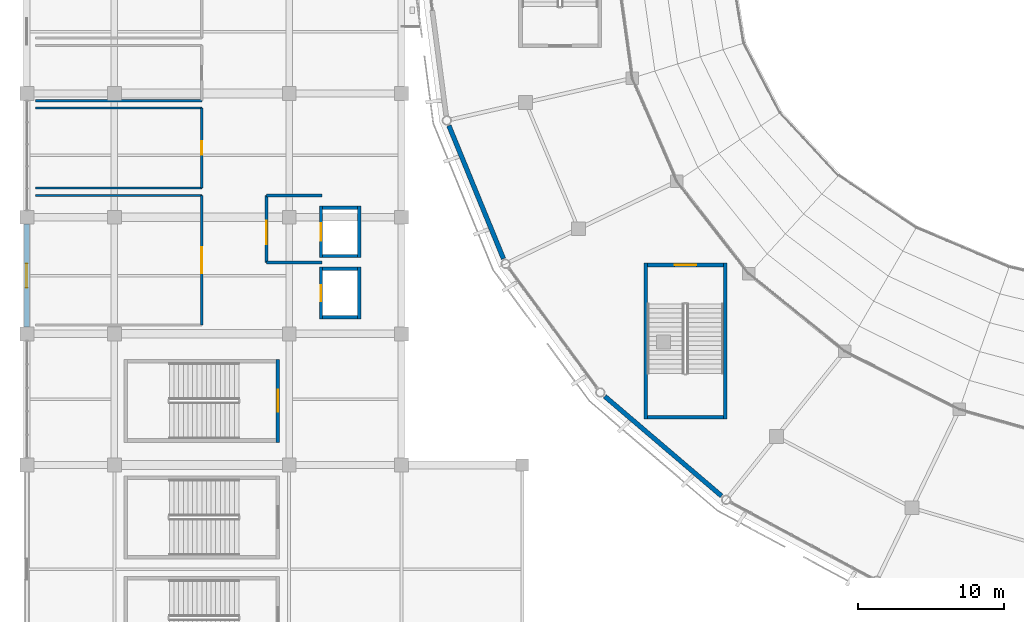
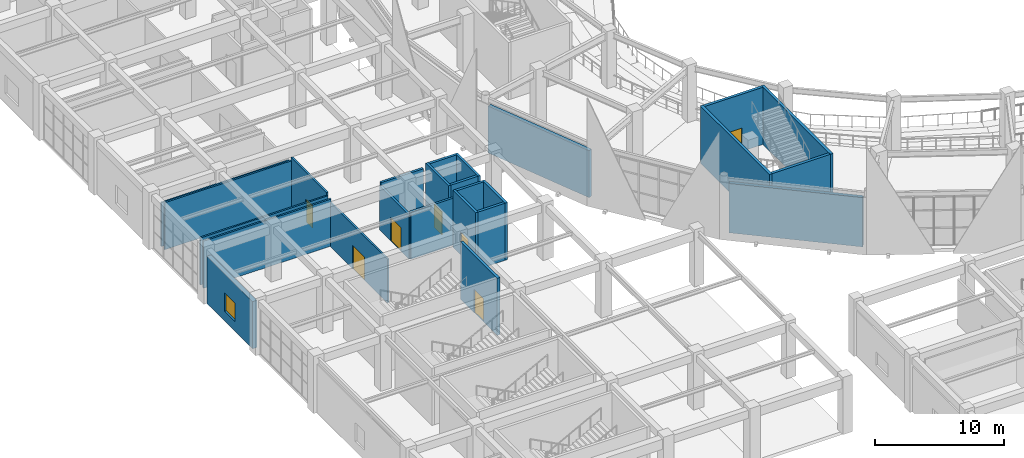
# One storey, part 74 of 120: 25 walls, 7 doors, 1 window, 8 openings.
"""IFC4 building model written with IfcOpenShell, lengths in metres."""

import ifcopenshell
import ifcopenshell.guid

model = None  # the IFC model being written
_history = None  # IfcOwnerHistory: only IFC2X3 demands one
_inside = {}  # id of a spatial element -> (the spatial element, [elements in it])
_under = {}  # id of a project, library or spatial element -> (it, [spatial elements below it])
_declared = {}  # id of a project -> (the project, [libraries it declares])
_typed = {}  # id of a type object -> (the type object, [elements of that type])
_made_of = {}  # id of a material, layer set ... -> (it, [elements and type objects made of it])


def new_model(schema):
    """Start an empty IFC model of exactly this schema.

    Asked for "IFC4X3", IfcOpenShell would pick the latest addendum, in which some entities
    have other attributes; the version numbers below select the first issue.
    IFC2X3 requires an IfcOwnerHistory on every rooted entity: one is made here for all.
    """
    global model, _history
    if schema == "IFC4X3":
        model = ifcopenshell.file(schema_version=(4, 3, 0, 0))
    else:
        model = ifcopenshell.file(schema=schema)
    _inside.clear()
    _under.clear()
    _declared.clear()
    _typed.clear()
    _made_of.clear()
    _history = None
    if model.schema == "IFC2X3":
        org = make("IfcOrganization", Name="unknown")
        user = make(
            "IfcPersonAndOrganization",
            ThePerson=make("IfcPerson", FamilyName="unknown"),
            TheOrganization=org,
        )
        app = make(
            "IfcApplication",
            ApplicationDeveloper=org,
            Version="unknown",
            ApplicationFullName="unknown",
            ApplicationIdentifier="unknown",
        )
        _history = make(
            "IfcOwnerHistory",
            OwningUser=user,
            OwningApplication=app,
            ChangeAction="ADDED",
            CreationDate=0,
        )
    return model


def make(cls, **values):
    """One entity of the class cls with the attributes given. An attribute that is None is left unset."""
    return model.create_entity(
        cls, **{name: value for name, value in values.items() if value is not None}
    )


def rooted(cls, **values):
    """An entity with a GlobalId (a new one), such as an element, a storey or a relation."""
    return make(cls, GlobalId=ifcopenshell.guid.new(), OwnerHistory=_history, **values)


def si_unit(unit_type, name, prefix=None):
    """IfcSIUnit, for example si_unit("LENGTHUNIT", "METRE", prefix="MILLI")."""
    return make("IfcSIUnit", UnitType=unit_type, Prefix=prefix, Name=name)


def assignment(units):
    """IfcUnitAssignment: the units of a project."""
    return None if units is None else make("IfcUnitAssignment", Units=units)


def point(xyz):
    """IfcCartesianPoint."""
    return None if xyz is None else make("IfcCartesianPoint", Coordinates=xyz)


def direction(xyz):
    """IfcDirection."""
    return None if xyz is None else make("IfcDirection", DirectionRatios=xyz)


def frame(location, z_axis=None, x_axis=None):
    """IfcAxis2Placement3D, a coordinate frame: its origin and axes. An axis left out is left unset."""
    return make(
        "IfcAxis2Placement3D",
        Location=point(location),
        Axis=direction(z_axis),
        RefDirection=direction(x_axis),
    )


def frame_2d(location, x_axis=None):
    """IfcAxis2Placement2D, a coordinate frame in the plane: its origin and x axis."""
    return make(
        "IfcAxis2Placement2D", Location=point(location), RefDirection=direction(x_axis)
    )


def origin():
    """The frame at (0, 0, 0) with its axes left unset."""
    return frame((0.0, 0.0, 0.0))


def place(relative_to, where):
    """IfcLocalPlacement: puts the frame where relative to a parent placement (None: the world)."""
    return make(
        "IfcLocalPlacement", PlacementRelTo=relative_to, RelativePlacement=where
    )


def context(
    kind, dimensions, precision=None, world=None, true_north=None, identifier=None
):
    """IfcGeometricRepresentationContext, for example the 3D "Model" context."""
    return make(
        "IfcGeometricRepresentationContext",
        ContextIdentifier=identifier,
        ContextType=kind,
        CoordinateSpaceDimension=dimensions,
        Precision=precision,
        WorldCoordinateSystem=world,
        TrueNorth=true_north,
    )


def subcontext(parent, identifier, kind, view, scale=None):
    """IfcGeometricRepresentationSubContext, for example "Body" below "Model"."""
    return make(
        "IfcGeometricRepresentationSubContext",
        ContextIdentifier=identifier,
        ContextType=kind,
        ParentContext=parent,
        TargetScale=scale,
        TargetView=view,
    )


def project(units=None, contexts=None):
    """IfcProject with its units and contexts."""
    return rooted(
        "IfcProject",
        Name="project",
        RepresentationContexts=contexts,
        UnitsInContext=assignment(units),
    )


def spatial(cls, under=None, at=None, **own):
    """A site, building, storey or space (cls), placed at a placement, below another one or the project."""
    s = rooted(cls, ObjectPlacement=at, **own)
    if under is not None:
        _under.setdefault(under.id(), (under, []))[1].append(s)
    return s


def profile(cls, at=None, kind="AREA", **sizes):
    """A parametric profile (cls). Its sizes go by their IFC names, for example OverallWidth=200.0."""
    return make(cls, ProfileType=kind, Position=at, **sizes)


def rectangle(**sizes):
    """IfcRectangleProfileDef."""
    return profile("IfcRectangleProfileDef", **sizes)


def extrude(swept, where, along, depth):
    """IfcExtrudedAreaSolid: the profile swept, set in the frame where, extruded along a direction by depth."""
    return make(
        "IfcExtrudedAreaSolid",
        SweptArea=swept,
        Position=where,
        ExtrudedDirection=direction(along),
        Depth=depth,
    )


def shape(context_of_items, identifier, shape_type, items):
    """IfcShapeRepresentation: the items that make up one representation, for example the "Body"."""
    return make(
        "IfcShapeRepresentation",
        ContextOfItems=context_of_items,
        RepresentationIdentifier=identifier,
        RepresentationType=shape_type,
        Items=items,
    )


def material(Name=None, Category=None):
    """IfcMaterial."""
    return make("IfcMaterial", Name=Name, Category=Category)


def layer(
    of_material, thickness, ventilated=None, Name=None, Category=None, Priority=None
):
    """IfcMaterialLayer: one layer of a wall or slab, of a material (None: an air gap)."""
    return make(
        "IfcMaterialLayer",
        Material=of_material,
        LayerThickness=thickness,
        IsVentilated=ventilated,
        Name=Name,
        Category=Category,
        Priority=Priority,
    )


def layer_set(layers, Name=None):
    """IfcMaterialLayerSet."""
    return make("IfcMaterialLayerSet", MaterialLayers=layers, LayerSetName=Name)


def made_of(thing, what):
    """Note that an element or type object is made of a material, layer set ...; save() writes the relation."""
    if what is not None:
        _made_of.setdefault(what.id(), (what, []))[1].append(thing)
    return thing


def type_object(cls, material=None, **own):
    """A type object (cls), such as IfcWallType, which elements share."""
    return made_of(rooted(cls, **own), material)


def element(
    cls,
    number,
    at=None,
    inside=None,
    cuts=None,
    type_object=None,
    material=None,
    context=None,
    identifier="Body",
    shape_type=None,
    held_by="IfcProductDefinitionShape",
    body=None,
    shapes=None,
    **own,
):
    """One element of the class cls, such as IfcWall. Its Tag is "e" and its number.

    at: its placement. inside: the storey or other place that contains it. cuts: it is an
    opening in that element (IfcRelVoidsElement). A single representation is given by context,
    identifier, shape_type and body (its items); several are given by shapes. held_by: the class
    of the entity that holds the representations. save() writes the other relations.
    """
    e = rooted(cls, Tag="e%d" % number, ObjectPlacement=at, **own)
    if body is not None:
        shapes = [shape(context, identifier, shape_type, body)]
    if shapes is not None:
        e.Representation = make(held_by, Representations=shapes)
    if inside is not None:
        _inside.setdefault(inside.id(), (inside, []))[1].append(e)
    if cuts is not None:
        rooted(
            "IfcRelVoidsElement", RelatingBuildingElement=cuts, RelatedOpeningElement=e
        )
    if type_object is not None:
        _typed.setdefault(type_object.id(), (type_object, []))[1].append(e)
    return made_of(e, material)


def fill(opening, filler):
    """IfcRelFillsElement: the door or window that sits in an opening."""
    return rooted(
        "IfcRelFillsElement",
        RelatingOpeningElement=opening,
        RelatedBuildingElement=filler,
    )


def aggregate(whole, parts):
    """IfcRelAggregates: a whole, such as a stair, and the parts it consists of."""
    return rooted("IfcRelAggregates", RelatingObject=whole, RelatedObjects=parts)


def save(model, path):
    """Write the relations noted so far, then the file.

    IfcRelAggregates (storeys below a building ...), IfcRelContainedInSpatialStructure (elements
    in a storey), IfcRelDefinesByType, IfcRelAssociatesMaterial and IfcRelDeclares: one each for
    every whole, place, type object, material and project.
    """
    for whole, parts in _under.values():
        aggregate(whole, parts)
    for where, things in _inside.values():
        rooted(
            "IfcRelContainedInSpatialStructure",
            RelatedElements=things,
            RelatingStructure=where,
        )
    for kind, things in _typed.values():
        rooted("IfcRelDefinesByType", RelatedObjects=things, RelatingType=kind)
    for what, things in _made_of.values():
        rooted("IfcRelAssociatesMaterial", RelatedObjects=things, RelatingMaterial=what)
    for by, libraries in _declared.values():
        rooted("IfcRelDeclares", RelatingContext=by, RelatedDefinitions=libraries)
    model.write(path)


model = new_model("IFC4")

# Units and contexts
model_context = context("Model", 3, precision=1e-05, world=origin(), true_north=direction((0.0, 1.0)))
body_context = subcontext(model_context, "Body", "Model", "MODEL_VIEW")
ifc_project = project(units=[si_unit("LENGTHUNIT", "METRE"), si_unit("AREAUNIT", "SQUARE_METRE"), si_unit("VOLUMEUNIT", "CUBIC_METRE"), si_unit("PLANEANGLEUNIT", "RADIAN"), si_unit("MASSUNIT", "GRAM", prefix="KILO")], contexts=[model_context])

# Site, building, storey
site_placement = place(None, origin())
site = spatial("IfcSite", under=ifc_project, at=site_placement, CompositionType="ELEMENT")
building_placement = place(site_placement, origin())
building = spatial("IfcBuilding", under=site, at=building_placement, Name="Cuetzalor Civic Arena", CompositionType="ELEMENT")
storey_placement = place(building_placement, frame((0.0, 0.0, 6.0)))
storey = spatial("IfcBuildingStorey", under=building, at=storey_placement, Name="L01", CompositionType="ELEMENT", Elevation=6.0)

# Wall
ifc_material_1 = material(Name="Acoustic steel-stud gypsum partition", Category="steel")
ifc_layer_1 = layer(ifc_material_1, 0.14990234375)
ifc_layer_set_1 = layer_set([ifc_layer_1], Name="Acoustic steel-stud gypsum partition")
wall_type_1 = type_object("IfcWallType", Name="AcousticGypsumPartition_150", PredefinedType="PARTITIONING", material=ifc_layer_set_1)
wall_1_placement = place(storey_placement, frame((-81.39990234375, -15.5, 0.0), z_axis=(0.0, 0.0, 1.0), x_axis=(1.0, 0.0, 0.0)))
element("IfcWall", 1, at=wall_1_placement, inside=storey, type_object=wall_type_1, Name="Interior Partition IWALL:L01:0195", PredefinedType="PARTITIONING", context=body_context, shape_type="SweptSolid", body=[
    extrude(rectangle(XDim=11.39990234375, YDim=0.14990234375, at=frame_2d((5.699951171875, 0.0))), origin(), (0.0, 0.0, 1.0), 4.445068359375),
])

# Wall, opening, door
wall_2_placement = place(storey_placement, frame((-70.0, -15.5, 0.0), z_axis=(0.0, 0.0, 1.0), x_axis=(0.0, -1.0, 0.0)))
wall_2 = element("IfcWall", 2, at=wall_2_placement, inside=storey, type_object=wall_type_1, Name="Interior Partition IWALL:L01:0197", PredefinedType="PARTITIONING", context=body_context, shape_type="SweptSolid", body=[
    extrude(rectangle(XDim=8.89990234375, YDim=0.14990234375, at=frame_2d((4.449951171875, 0.0))), origin(), (0.0, 0.0, 1.0), 4.14501953125),
])
opening_1_placement = place(wall_2_placement, frame((3.550048828125, 0.0, 0.0)))
opening_1 = element("IfcOpeningElement", 3, at=opening_1_placement, cuts=wall_2, Name="Opening ID-06", PredefinedType="OPENING", context=body_context, shape_type="SweptSolid", body=[
    extrude(rectangle(XDim=1.800048828125, YDim=2.199951171875, at=frame_2d((0.89990234375, 1.10009765625))), frame((0.0, 0.0849609375, 0.0), z_axis=(0.0, -1.0, 0.0), x_axis=(1.0, 0.0, 0.0)), (0.0, 0.0, 1.0), 0.169921875),
])
ifc_material_2 = material(Name="Glazed bronze acoustic double door", Category="metal")
door_type_1 = type_object("IfcDoorType", Name="PublicDoubleDoor_1800x2200", OperationType="DOUBLE_DOOR_SINGLE_SWING", PredefinedType="DOOR", material=ifc_material_2)
door_1_placement = place(opening_1_placement, origin())
door_1 = element("IfcDoor", 4, at=door_1_placement, inside=storey, type_object=door_type_1, Name="Door to Concessions Hall West South L01", OperationType="DOUBLE_DOOR_SINGLE_SWING", OverallHeight=2.199951171875, OverallWidth=1.800048828125, PredefinedType="DOOR", context=body_context, shape_type="SweptSolid", body=[
    extrude(rectangle(XDim=1.800048828125, YDim=2.199951171875, at=frame_2d((0.89990234375, 1.10009765625))), frame((0.0, 0.02490234375, 0.0), z_axis=(0.0, -1.0, 0.0), x_axis=(1.0, 0.0, 0.0)), (0.0, 0.0, 1.0), 0.050048828125),
])
fill(opening_1, door_1)

# Walls
for number, where, z_axis, x_axis, name in (
    (5, (-81.39990234375, -9.5, 0.0), (0.0, 0.0, 1.0), (1.0, 0.0, 0.0), "Interior Partition IWALL:L01:0198"),
    (6, (-70.0, -15.0, 0.0), (0.0, 0.0, 1.0), (-1.0, 0.0, 0.0), "Interior Partition IWALL:L01:0199"),
):
    element("IfcWall", number, at=place(storey_placement, frame(where, z_axis=z_axis, x_axis=x_axis)), inside=storey, type_object=wall_type_1, Name=name, PredefinedType="PARTITIONING", context=body_context, shape_type="SweptSolid", body=[
        extrude(rectangle(XDim=11.39990234375, YDim=0.14990234375, at=frame_2d((5.699951171875, 0.0))), origin(), (0.0, 0.0, 1.0), 4.445068359375),
    ])

# Wall, opening, door
wall_3_placement = place(storey_placement, frame((-70.0, -9.5, 0.0), z_axis=(0.0, 0.0, 1.0), x_axis=(0.0, -1.0, 0.0)))
wall_3 = element("IfcWall", 7, at=wall_3_placement, inside=storey, type_object=wall_type_1, Name="Interior Partition IWALL:L01:0200", PredefinedType="PARTITIONING", context=body_context, shape_type="SweptSolid", body=[
    extrude(rectangle(XDim=5.5, YDim=0.14990234375, at=frame_2d((2.75, 0.0))), origin(), (0.0, 0.0, 1.0), 4.739990234375),
])
opening_2_placement = place(wall_3_placement, frame((2.27490234375, 0.0, 0.0)))
opening_2 = element("IfcOpeningElement", 8, at=opening_2_placement, cuts=wall_3, Name="Opening ID-03", PredefinedType="OPENING", context=body_context, shape_type="SweptSolid", body=[
    extrude(rectangle(XDim=0.949951171875, YDim=2.14990234375, at=frame_2d((0.47509765625, 1.074951171875))), frame((0.0, 0.0849609375, 0.0), z_axis=(0.0, -1.0, 0.0), x_axis=(1.0, 0.0, 0.0)), (0.0, 0.0, 1.0), 0.169921875),
])
ifc_material_3 = material(Name="Painted steel frame and solid timber leaf", Category="steel")
door_type_2 = type_object("IfcDoorType", Name="InteriorSingleDoor_950x2150", OperationType="NOTDEFINED", PredefinedType="DOOR", material=ifc_material_3)
door_2_placement = place(opening_2_placement, origin())
door_2 = element("IfcDoor", 9, at=door_2_placement, inside=storey, type_object=door_type_2, Name="Door to Public Restroom West South L01", OperationType="SINGLE_SWING_LEFT", OverallHeight=2.14990234375, OverallWidth=0.949951171875, PredefinedType="DOOR", context=body_context, shape_type="SweptSolid", body=[
    extrude(rectangle(XDim=0.949951171875, YDim=2.14990234375, at=frame_2d((0.47509765625, 1.074951171875))), frame((0.0, 0.02490234375, 0.0), z_axis=(0.0, -1.0, 0.0), x_axis=(1.0, 0.0, 0.0)), (0.0, 0.0, 1.0), 0.050048828125),
])
fill(opening_2, door_2)

# Walls
wall_4_placement = place(storey_placement, frame((-70.0, -9.0, 0.0), z_axis=(0.0, 0.0, 1.0), x_axis=(-1.0, 0.0, 0.0)))
element("IfcWall", 10, at=wall_4_placement, inside=storey, type_object=wall_type_1, Name="Interior Partition IWALL:L01:0202", PredefinedType="PARTITIONING", context=body_context, shape_type="SweptSolid", body=[
    extrude(rectangle(XDim=11.39990234375, YDim=0.14990234375, at=frame_2d((5.699951171875, 0.0))), origin(), (0.0, 0.0, 1.0), 4.14501953125),
])
ifc_material_4 = material(Name="Concrete C40/50", Category="concrete")
ifc_layer_2 = layer(ifc_material_4, 0.25)
ifc_layer_set_2 = layer_set([ifc_layer_2], Name="Concrete C40/50")
wall_type_2 = type_object("IfcWallType", Name="ConcreteCoreShearWall_250", PredefinedType="SHEAR", material=ifc_layer_set_2)
wall_5_placement = place(storey_placement, frame((-39.52490234375, -30.85009765625, 0.0), z_axis=(0.0, 0.0, 1.0), x_axis=(0.0, 1.0, 0.0)))
element("IfcWall", 11, at=wall_5_placement, inside=storey, type_object=wall_type_2, Name="Stair Core Shear Wall ST-06-L01-W", PredefinedType="SHEAR", context=body_context, shape_type="SweptSolid", body=[
    extrude(rectangle(XDim=10.7001953125, YDim=0.25, at=frame_2d((5.35009765625, 0.0))), origin(), (0.0, 0.0, 1.0), 5.39990234375),
])

# Wall, opening, door
wall_6_placement = place(storey_placement, frame((-39.39990234375, -20.27490234375, 0.0), z_axis=(0.0, 0.0, 1.0), x_axis=(1.0, 0.0, 0.0)))
wall_6 = element("IfcWall", 12, at=wall_6_placement, inside=storey, type_object=wall_type_2, Name="Stair Core Shear Wall ST-06-L01-N", PredefinedType="SHEAR", context=body_context, shape_type="SweptSolid", body=[
    extrude(rectangle(XDim=5.199951171875, YDim=0.25, at=frame_2d((2.60009765625, 0.0))), origin(), (0.0, 0.0, 1.0), 5.39990234375),
])
opening_3_placement = place(wall_6_placement, frame((1.85009765625, 0.0, 0.0)))
opening_3 = element("IfcOpeningElement", 13, at=opening_3_placement, cuts=wall_6, Name="Opening FD-03", PredefinedType="OPENING", context=body_context, shape_type="SweptSolid", body=[
    extrude(rectangle(XDim=1.5, YDim=2.199951171875, at=frame_2d((0.75, 1.10009765625))), frame((0.0, 0.135009765625, 0.0), z_axis=(0.0, -1.0, 0.0), x_axis=(1.0, 0.0, 0.0)), (0.0, 0.0, 1.0), 0.27001953125),
])
ifc_material_5 = material(Name="Fire-rated steel stair exit double door", Category="steel")
door_type_3 = type_object("IfcDoorType", Name="StairFireDoubleDoor_1500x2200", OperationType="DOUBLE_DOOR_SINGLE_SWING", PredefinedType="DOOR", material=ifc_material_5)
door_3_placement = place(opening_3_placement, origin())
door_3 = element("IfcDoor", 14, at=door_3_placement, inside=storey, type_object=door_type_3, Name="Fire Stair Door ST-06 L01", OperationType="DOUBLE_DOOR_SINGLE_SWING", OverallHeight=2.199951171875, OverallWidth=1.5, PredefinedType="DOOR", context=body_context, shape_type="SweptSolid", body=[
    extrude(rectangle(XDim=1.5, YDim=2.199951171875, at=frame_2d((0.75, 1.10009765625))), frame((0.0, 0.02490234375, 0.0), z_axis=(0.0, -1.0, 0.0), x_axis=(1.0, 0.0, 0.0)), (0.0, 0.0, 1.0), 0.050048828125),
])
fill(opening_3, door_3)

# Walls
wall_7_placement = place(storey_placement, frame((-34.074951171875, -20.14990234375, 0.0), z_axis=(0.0, 0.0, 1.0), x_axis=(0.0, -1.0, 0.0)))
element("IfcWall", 15, at=wall_7_placement, inside=storey, type_object=wall_type_2, Name="Stair Core Shear Wall ST-06-L01-E", PredefinedType="SHEAR", context=body_context, shape_type="SweptSolid", body=[
    extrude(rectangle(XDim=10.7001953125, YDim=0.25, at=frame_2d((5.35009765625, 0.0))), origin(), (0.0, 0.0, 1.0), 5.39990234375),
])
wall_8_placement = place(storey_placement, frame((-34.199951171875, -30.72509765625, 0.0), z_axis=(0.0, 0.0, 1.0), x_axis=(-1.0, 0.0, 0.0)))
element("IfcWall", 16, at=wall_8_placement, inside=storey, type_object=wall_type_2, Name="Stair Core Shear Wall ST-06-L01-S", PredefinedType="SHEAR", context=body_context, shape_type="SweptSolid", body=[
    extrude(rectangle(XDim=5.199951171875, YDim=0.25, at=frame_2d((2.60009765625, 0.0))), origin(), (0.0, 0.0, 1.0), 5.39990234375),
])

# Wall, opening, door
wall_9_placement = place(storey_placement, frame((-64.77490234375, -26.75, 0.0), z_axis=(0.0, 0.0, 1.0), x_axis=(0.0, -1.0, 0.0)))
wall_9 = element("IfcWall", 17, at=wall_9_placement, inside=storey, type_object=wall_type_2, Name="Stair Core Shear Wall ST-16-L01-E", PredefinedType="SHEAR", context=body_context, shape_type="SweptSolid", body=[
    extrude(rectangle(XDim=5.699951171875, YDim=0.25, at=frame_2d((2.85009765625, 0.0))), origin(), (0.0, 0.0, 1.0), 5.39990234375),
])
opening_4_placement = place(wall_9_placement, frame((2.10009765625, 0.0, 0.0)))
opening_4 = element("IfcOpeningElement", 18, at=opening_4_placement, cuts=wall_9, Name="Opening FD-03", PredefinedType="OPENING", context=body_context, shape_type="SweptSolid", body=[
    extrude(rectangle(XDim=1.5, YDim=2.199951171875, at=frame_2d((0.75, 1.10009765625))), frame((0.0, 0.135009765625, 0.0), z_axis=(0.0, -1.0, 0.0), x_axis=(1.0, 0.0, 0.0)), (0.0, 0.0, 1.0), 0.27001953125),
])
door_4_placement = place(opening_4_placement, origin())
door_4 = element("IfcDoor", 19, at=door_4_placement, inside=storey, type_object=door_type_3, Name="Fire Stair Door ST-16 L01", OperationType="DOUBLE_DOOR_SINGLE_SWING", OverallHeight=2.199951171875, OverallWidth=1.5, PredefinedType="DOOR", context=body_context, shape_type="SweptSolid", body=[
    extrude(rectangle(XDim=1.5, YDim=2.199951171875, at=frame_2d((0.75, 1.10009765625))), frame((0.0, 0.02490234375, 0.0), z_axis=(0.0, -1.0, 0.0), x_axis=(1.0, 0.0, 0.0)), (0.0, 0.0, 1.0), 0.050048828125),
])
fill(opening_4, door_4)

ifc_material_6 = material(Name="Fire-rated masonry and gypsum partition", Category="masonry")
ifc_layer_3 = layer(ifc_material_6, 0.199951171875)
ifc_layer_set_3 = layer_set([ifc_layer_3], Name="Fire-rated masonry and gypsum partition")
wall_type_3 = type_object("IfcWallType", Name="FireCompartmentWall_200", PredefinedType="PARTITIONING", material=ifc_layer_set_3)
wall_10_placement = place(storey_placement, frame((-65.550048828125, -20.10009765625, 0.0), z_axis=(0.0, 0.0, 1.0), x_axis=(0.0, 1.0, 0.0)))
wall_10 = element("IfcWall", 20, at=wall_10_placement, inside=storey, type_object=wall_type_3, Name="Interior Partition IWALL:L01:0004", PredefinedType="PARTITIONING", context=body_context, shape_type="SweptSolid", body=[
    extrude(rectangle(XDim=4.60009765625, YDim=0.199951171875, at=frame_2d((2.300048828125, 0.0))), origin(), (0.0, 0.0, 1.0), 4.14501953125),
])
opening_5_placement = place(wall_10_placement, frame((1.25, 0.0, 0.0)))
opening_5 = element("IfcOpeningElement", 21, at=opening_5_placement, cuts=wall_10, Name="Opening FD-05", PredefinedType="OPENING", context=body_context, shape_type="SweptSolid", body=[
    extrude(rectangle(XDim=1.60009765625, YDim=2.199951171875, at=frame_2d((0.800048828125, 1.10009765625))), frame((0.0, 0.10986328125, 0.0), z_axis=(0.0, -1.0, 0.0), x_axis=(1.0, 0.0, 0.0)), (0.0, 0.0, 1.0), 0.219970703125),
])
ifc_material_7 = material(Name="Fire-rated smoke-seal lobby double door", Category="steel")
door_type_4 = type_object("IfcDoorType", Name="FireLobbyDoubleDoor_1600x2200", OperationType="DOUBLE_DOOR_SINGLE_SWING", PredefinedType="DOOR", material=ifc_material_7)
door_5_placement = place(opening_5_placement, origin())
door_5 = element("IfcDoor", 22, at=door_5_placement, inside=storey, type_object=door_type_4, Name="Door to Firefighting Lift Lobby LF-01 L01", OperationType="DOUBLE_DOOR_SINGLE_SWING", OverallHeight=2.199951171875, OverallWidth=1.60009765625, PredefinedType="DOOR", context=body_context, shape_type="SweptSolid", body=[
    extrude(rectangle(XDim=1.60009765625, YDim=2.199951171875, at=frame_2d((0.800048828125, 1.10009765625))), frame((0.0, 0.02490234375, 0.0), z_axis=(0.0, -1.0, 0.0), x_axis=(1.0, 0.0, 0.0)), (0.0, 0.0, 1.0), 0.050048828125),
])
fill(opening_5, door_5)

# Walls
for number, where, z_axis, x_axis, name in (
    (23, (-65.550048828125, -15.5, 0.0), (0.0, 0.0, 1.0), (1.0, 0.0, 0.0), "Interior Partition IWALL:L01:0005"),
    (24, (-61.75, -20.10009765625, 0.0), (0.0, 0.0, 1.0), (-1.0, 0.0, 0.0), "Interior Partition IWALL:L01:0006"),
):
    element("IfcWall", number, at=place(storey_placement, frame(where, z_axis=z_axis, x_axis=x_axis)), inside=storey, type_object=wall_type_3, Name=name, PredefinedType="PARTITIONING", context=body_context, shape_type="SweptSolid", body=[
        extrude(rectangle(XDim=3.800048828125, YDim=0.199951171875, at=frame_2d((1.89990234375, 0.0))), origin(), (0.0, 0.0, 1.0), 4.445068359375),
    ])
ifc_material_8 = material(Name="Precast concrete C40/50 insulated cladding", Category="concrete")
ifc_layer_4 = layer(ifc_material_8, 0.320068359375)
ifc_layer_set_4 = layer_set([ifc_layer_4], Name="Precast concrete C40/50 insulated cladding")
wall_type_4 = type_object("IfcWallType", Name="InsulatedPrecastWall_320", PredefinedType="SOLIDWALL", material=ifc_layer_set_4)
wall_11_placement = place(storey_placement, frame((-49.2919921875, -19.845703125, 0.0), z_axis=(0.0, 0.0, 1.0), x_axis=(-0.379382703047, 0.925239841678, 0.0)))
element("IfcWall", 25, at=wall_11_placement, inside=storey, type_object=wall_type_4, Name="Drum Acoustic Backing Wall L01-018", PredefinedType="SOLIDWALL", context=body_context, shape_type="SweptSolid", body=[
    extrude(rectangle(XDim=9.874267578125, YDim=0.320068359375, at=frame_2d((4.93701171875, 0.0))), origin(), (0.0, 0.0, 1.0), 4.431884765625),
])
wall_12_placement = place(storey_placement, frame((-34.32470703125, -36.126953125, 0.0), z_axis=(0.0, 0.0, 1.0), x_axis=(-0.760681761173, 0.649124994296, 0.0)))
element("IfcWall", 26, at=wall_12_placement, inside=storey, type_object=wall_type_4, Name="Drum Acoustic Backing Wall L01-019", PredefinedType="SOLIDWALL", context=body_context, shape_type="SweptSolid", body=[
    extrude(rectangle(XDim=10.531005859375, YDim=0.320068359375, at=frame_2d((5.265625, 0.0))), origin(), (0.0, 0.0, 1.0), 4.653076171875),
])

# Wall, opening, door
ifc_material_9 = material(Name="Concrete C40/50", Category="concrete")
ifc_layer_5 = layer(ifc_material_9, 0.219970703125)
ifc_layer_set_5 = layer_set([ifc_layer_5], Name="Concrete C40/50")
wall_type_5 = type_object("IfcWallType", Name="LiftShaftShearWall_220", PredefinedType="SHEAR", material=ifc_layer_set_5)
wall_13_placement = place(storey_placement, frame((-61.81005859375, -19.77001953125, 0.0), z_axis=(0.0, 0.0, 1.0), x_axis=(0.0, 1.0, 0.0)))
wall_13 = element("IfcWall", 27, at=wall_13_placement, inside=storey, type_object=wall_type_5, Name="Lift Shaft Wall LF-01-L01-W", PredefinedType="SHEAR", context=body_context, shape_type="SweptSolid", body=[
    extrude(rectangle(XDim=3.5400390625, YDim=0.219970703125, at=frame_2d((1.77001953125, 0.0))), origin(), (0.0, 0.0, 1.0), 5.39990234375),
])
opening_6_placement = place(wall_13_placement, frame((1.169921875, 0.0, 0.0)))
opening_6 = element("IfcOpeningElement", 28, at=opening_6_placement, cuts=wall_13, Name="Opening LD-02", PredefinedType="OPENING", context=body_context, shape_type="SweptSolid", body=[
    extrude(rectangle(XDim=1.199951171875, YDim=2.199951171875, at=frame_2d((0.60009765625, 1.10009765625))), frame((0.0, 0.1201171875, 0.0), z_axis=(0.0, -1.0, 0.0), x_axis=(1.0, 0.0, 0.0)), (0.0, 0.0, 1.0), 0.239990234375),
])
ifc_material_10 = material(Name="Fire-rated stainless steel sliding lift landing door", Category="steel")
door_type_5 = type_object("IfcDoorType", Name="LiftLandingSlidingDoor_1200x2200", OperationType="SLIDING_TO_LEFT", PredefinedType="DOOR", material=ifc_material_10)
door_6_placement = place(opening_6_placement, origin())
door_6 = element("IfcDoor", 29, at=door_6_placement, inside=storey, type_object=door_type_5, Name="Lift Landing Sliding Door LF-01 L01", OperationType="SLIDING_TO_LEFT", OverallHeight=2.199951171875, OverallWidth=1.199951171875, PredefinedType="DOOR", context=body_context, shape_type="SweptSolid", body=[
    extrude(rectangle(XDim=1.199951171875, YDim=2.199951171875, at=frame_2d((0.60009765625, 1.10009765625))), frame((0.0, 0.02490234375, 0.0), z_axis=(0.0, -1.0, 0.0), x_axis=(1.0, 0.0, 0.0)), (0.0, 0.0, 1.0), 0.050048828125),
])
fill(opening_6, door_6)

# Walls
wall_14_placement = place(storey_placement, frame((-61.699951171875, -16.340087890625, 0.0), z_axis=(0.0, 0.0, 1.0), x_axis=(1.0, 0.0, 0.0)))
element("IfcWall", 30, at=wall_14_placement, inside=storey, type_object=wall_type_5, Name="Lift Shaft Wall LF-01-L01-N", PredefinedType="SHEAR", context=body_context, shape_type="SweptSolid", body=[
    extrude(rectangle(XDim=2.39990234375, YDim=0.219970703125, at=frame_2d((1.199951171875, 0.0))), origin(), (0.0, 0.0, 1.0), 5.39990234375),
])
wall_15_placement = place(storey_placement, frame((-59.18994140625, -16.22998046875, 0.0), z_axis=(0.0, 0.0, 1.0), x_axis=(0.0, -1.0, 0.0)))
element("IfcWall", 31, at=wall_15_placement, inside=storey, type_object=wall_type_5, Name="Lift Shaft Wall LF-01-L01-E", PredefinedType="SHEAR", context=body_context, shape_type="SweptSolid", body=[
    extrude(rectangle(XDim=3.5400390625, YDim=0.219970703125, at=frame_2d((1.77001953125, 0.0))), origin(), (0.0, 0.0, 1.0), 5.39990234375),
])
wall_16_placement = place(storey_placement, frame((-59.300048828125, -19.659912109375, 0.0), z_axis=(0.0, 0.0, 1.0), x_axis=(-1.0, 0.0, 0.0)))
element("IfcWall", 32, at=wall_16_placement, inside=storey, type_object=wall_type_5, Name="Lift Shaft Wall LF-01-L01-S", PredefinedType="SHEAR", context=body_context, shape_type="SweptSolid", body=[
    extrude(rectangle(XDim=2.39990234375, YDim=0.219970703125, at=frame_2d((1.199951171875, 0.0))), origin(), (0.0, 0.0, 1.0), 5.39990234375),
])

# Wall, opening, door
wall_17_placement = place(storey_placement, frame((-61.81005859375, -23.969970703125, 0.0), z_axis=(0.0, 0.0, 1.0), x_axis=(0.0, 1.0, 0.0)))
wall_17 = element("IfcWall", 33, at=wall_17_placement, inside=storey, type_object=wall_type_5, Name="Lift Shaft Wall LP-03-L01-W", PredefinedType="SHEAR", context=body_context, shape_type="SweptSolid", body=[
    extrude(rectangle(XDim=3.5400390625, YDim=0.219970703125, at=frame_2d((1.77001953125, 0.0))), origin(), (0.0, 0.0, 1.0), 5.39990234375),
])
opening_7_placement = place(wall_17_placement, frame((1.219970703125, 0.0, 0.0)))
opening_7 = element("IfcOpeningElement", 34, at=opening_7_placement, cuts=wall_17, Name="Opening LD-01", PredefinedType="OPENING", context=body_context, shape_type="SweptSolid", body=[
    extrude(rectangle(XDim=1.10009765625, YDim=2.199951171875, at=frame_2d((0.550048828125, 1.10009765625))), frame((0.0, 0.1201171875, 0.0), z_axis=(0.0, -1.0, 0.0), x_axis=(1.0, 0.0, 0.0)), (0.0, 0.0, 1.0), 0.239990234375),
])
ifc_material_11 = material(Name="Brushed stainless steel sliding lift landing door", Category="steel")
door_type_6 = type_object("IfcDoorType", Name="LiftLandingSlidingDoor_1100x2200", OperationType="SLIDING_TO_LEFT", PredefinedType="DOOR", material=ifc_material_11)
door_7_placement = place(opening_7_placement, origin())
door_7 = element("IfcDoor", 35, at=door_7_placement, inside=storey, type_object=door_type_6, Name="Lift Landing Sliding Door LP-03 L01", OperationType="SLIDING_TO_LEFT", OverallHeight=2.199951171875, OverallWidth=1.10009765625, PredefinedType="DOOR", context=body_context, shape_type="SweptSolid", body=[
    extrude(rectangle(XDim=1.10009765625, YDim=2.199951171875, at=frame_2d((0.550048828125, 1.10009765625))), frame((0.0, 0.02490234375, 0.0), z_axis=(0.0, -1.0, 0.0), x_axis=(1.0, 0.0, 0.0)), (0.0, 0.0, 1.0), 0.050048828125),
])
fill(opening_7, door_7)

# Walls
wall_18_placement = place(storey_placement, frame((-61.699951171875, -20.5400390625, 0.0), z_axis=(0.0, 0.0, 1.0), x_axis=(1.0, 0.0, 0.0)))
element("IfcWall", 36, at=wall_18_placement, inside=storey, type_object=wall_type_5, Name="Lift Shaft Wall LP-03-L01-N", PredefinedType="SHEAR", context=body_context, shape_type="SweptSolid", body=[
    extrude(rectangle(XDim=2.39990234375, YDim=0.219970703125, at=frame_2d((1.199951171875, 0.0))), origin(), (0.0, 0.0, 1.0), 5.39990234375),
])
wall_19_placement = place(storey_placement, frame((-59.18994140625, -20.429931640625, 0.0), z_axis=(0.0, 0.0, 1.0), x_axis=(0.0, -1.0, 0.0)))
element("IfcWall", 37, at=wall_19_placement, inside=storey, type_object=wall_type_5, Name="Lift Shaft Wall LP-03-L01-E", PredefinedType="SHEAR", context=body_context, shape_type="SweptSolid", body=[
    extrude(rectangle(XDim=3.5400390625, YDim=0.219970703125, at=frame_2d((1.77001953125, 0.0))), origin(), (0.0, 0.0, 1.0), 5.39990234375),
])
wall_20_placement = place(storey_placement, frame((-59.300048828125, -23.860107421875, 0.0), z_axis=(0.0, 0.0, 1.0), x_axis=(-1.0, 0.0, 0.0)))
element("IfcWall", 38, at=wall_20_placement, inside=storey, type_object=wall_type_5, Name="Lift Shaft Wall LP-03-L01-S", PredefinedType="SHEAR", context=body_context, shape_type="SweptSolid", body=[
    extrude(rectangle(XDim=2.39990234375, YDim=0.219970703125, at=frame_2d((1.199951171875, 0.0))), origin(), (0.0, 0.0, 1.0), 5.39990234375),
])

# Wall, opening, window
ifc_material_12 = material(Name="Polychrome Talavera ceramic on Concrete C35/45", Category="concrete")
ifc_layer_6 = layer(ifc_material_12, 0.3798828125)
ifc_layer_set_6 = layer_set([ifc_layer_6], Name="Polychrome Talavera ceramic on Concrete C35/45")
wall_type_6 = type_object("IfcWallType", Name="TalaveraSpandrelWall_380", PredefinedType="SOLIDWALL", material=ifc_layer_set_6)
wall_21_placement = place(storey_placement, frame((-82.0, -24.54296875, 0.0), z_axis=(0.0, 0.0, 1.0), x_axis=(0.0, 1.0, 0.0)))
wall_21 = element("IfcWall", 39, at=wall_21_placement, inside=storey, type_object=wall_type_6, Name="V4W Outer Talavera Wall L01-127", PredefinedType="SOLIDWALL", context=body_context, shape_type="SweptSolid", body=[
    extrude(rectangle(XDim=7.0859375, YDim=0.3798828125, at=frame_2d((3.54296875, 0.0))), origin(), (0.0, 0.0, 1.0), 4.4599609375),
])
opening_8_placement = place(wall_21_placement, frame((2.718017578125, 0.0, 0.89990234375)))
opening_8 = element("IfcOpeningElement", 40, at=opening_8_placement, cuts=wall_21, Name="Opening WN-22", PredefinedType="OPENING", context=body_context, shape_type="SweptSolid", body=[
    extrude(rectangle(XDim=1.64990234375, YDim=1.75, at=frame_2d((0.824951171875, 0.875))), frame((0.0, 0.199951171875, 0.0), z_axis=(0.0, -1.0, 0.0), x_axis=(1.0, 0.0, 0.0)), (0.0, 0.0, 1.0), 0.39990234375),
])
ifc_material_13 = material(Name="Anodised bronze aluminium and low-E solar glass", Category="aluminium")
window_type = type_object("IfcWindowType", Name="BronzeThermalWindow_1650x1750", PartitioningType="SINGLE_PANEL", PredefinedType="WINDOW", material=ifc_material_13)
window_placement = place(opening_8_placement, origin())
window = element("IfcWindow", 41, at=window_placement, inside=storey, type_object=window_type, Name="V4W Facade Window L01-0022", OverallHeight=1.75, OverallWidth=1.64990234375, PartitioningType="SINGLE_PANEL", PredefinedType="WINDOW", context=body_context, shape_type="SweptSolid", body=[
    extrude(rectangle(XDim=1.64990234375, YDim=1.75, at=frame_2d((0.824951171875, 0.875))), frame((0.0, 0.030029296875, 0.0), z_axis=(0.0, -1.0, 0.0), x_axis=(1.0, 0.0, 0.0)), (0.0, 0.0, 1.0), 0.06005859375),
])
fill(opening_8, window)

save(model, "model.ifc")
